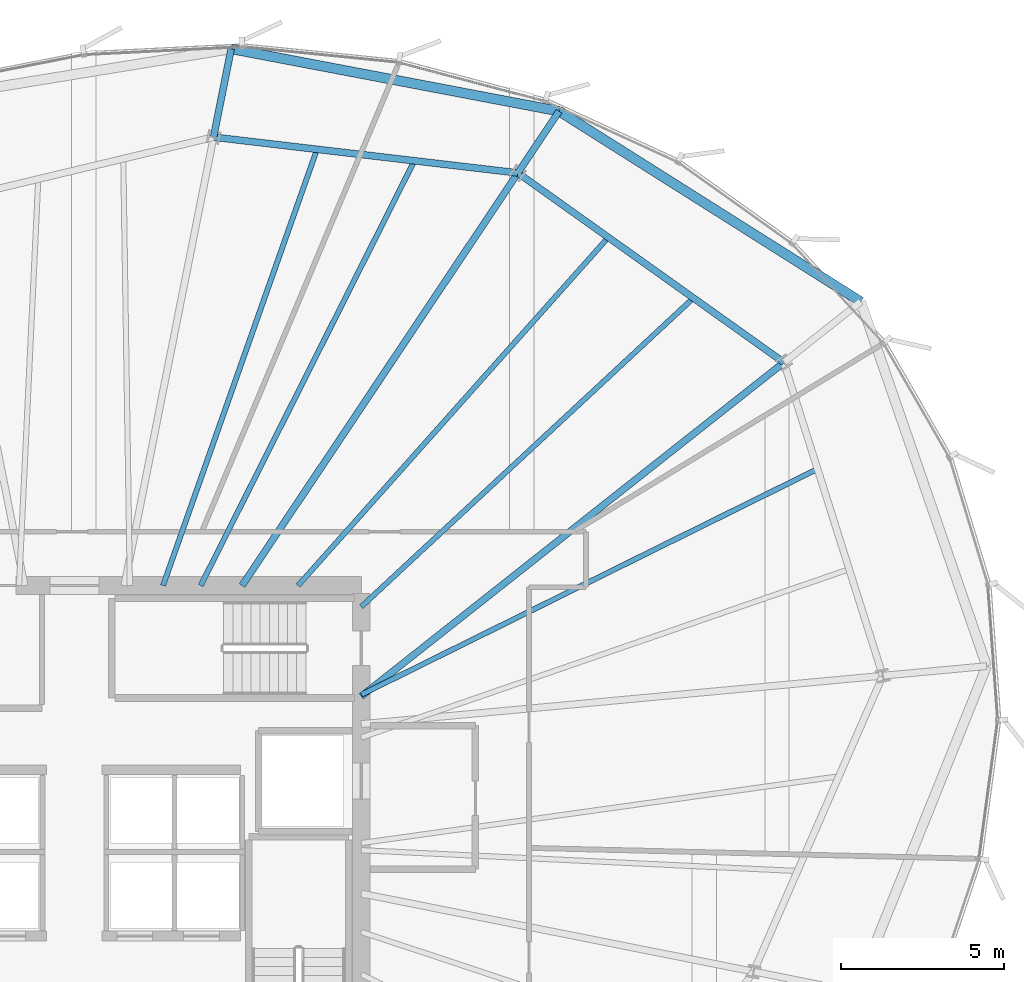
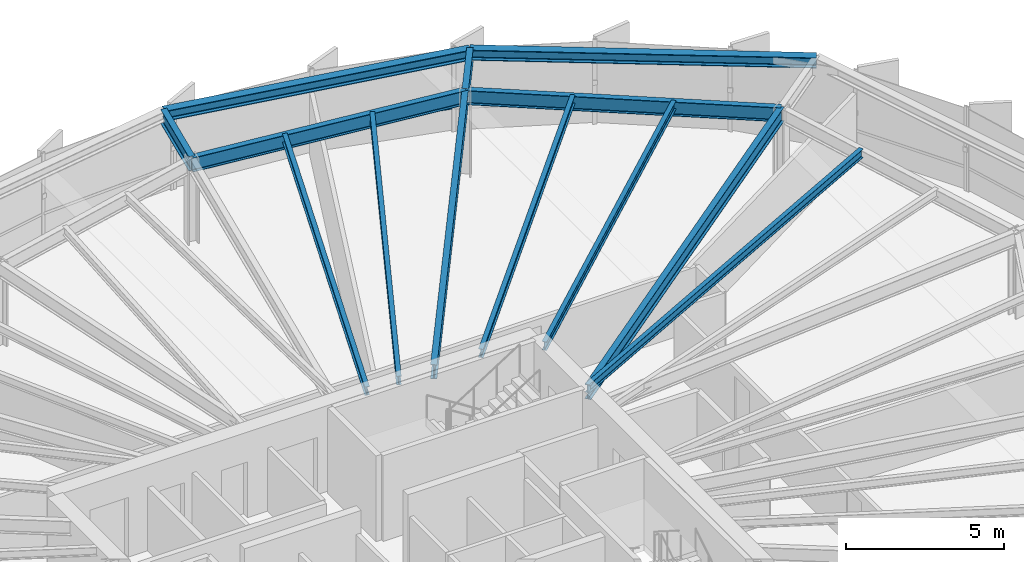
# One storey, part 22 of 34: 13 beams, 1 member, 1 element without a shape of its own.
"""IFC4 building model written with IfcOpenShell, lengths in metres."""

from ifc_helpers import new_model, si_unit, direction, frame, origin, origin_2d, place, context, subcontext, project, spatial, hollow_rectangle, i_section, extrude, source, transform, mapped, material, layer, layer_set, material_profile, profile_set, type_object, element, aggregate, save


model = new_model("IFC4")

# Units and contexts
model_context = context("Model", 3, precision=1e-05, world=origin(), true_north=direction((0.0, 1.0)))
body_context = subcontext(model_context, "Body", "Model", "MODEL_VIEW")
ifc_project = project(units=[si_unit("LENGTHUNIT", "METRE"), si_unit("AREAUNIT", "SQUARE_METRE"), si_unit("VOLUMEUNIT", "CUBIC_METRE"), si_unit("PLANEANGLEUNIT", "RADIAN"), si_unit("MASSUNIT", "GRAM", prefix="KILO"), si_unit("THERMODYNAMICTEMPERATUREUNIT", "KELVIN")], contexts=[model_context])

# Site, building, storey
site_placement = place(None, origin())
site = spatial("IfcSite", under=ifc_project, at=site_placement, CompositionType="ELEMENT")
building_placement = place(site_placement, origin())
building = spatial("IfcBuilding", under=site, at=building_placement, Name="Kethvar Cultural Tower", CompositionType="ELEMENT")
storey_placement = place(building_placement, frame((0.0, 0.0, 128.800048828125)))
storey = spatial("IfcBuildingStorey", under=building, at=storey_placement, Name="L32", CompositionType="ELEMENT", Elevation=128.800048828125)

# Beams
ifc_material_1 = material(Name="Steel S355J2", Category="steel")
ifc_material_profile_1 = material_profile(ifc_material_1, i_section(OverallWidth=0.2099609375, OverallDepth=0.550048828125, WebThickness=0.010986328125, FlangeThickness=0.01708984375, FilletRadius=0.02392578125, at=origin_2d()), Name="Steel S355J2 — IPE550")
ifc_profile_set_1 = profile_set([ifc_material_profile_1], Name="Steel S355J2 — IPE550")
beam_type_1 = type_object("IfcBeamType", Name="BM-IPE550", PredefinedType="BEAM", material=ifc_profile_set_1)
shared_shape_1 = source(origin(), body_context, "Body", "SweptSolid", [
    extrude(i_section(OverallWidth=0.2099609375, OverallDepth=0.550048828125, WebThickness=0.010986328125, FlangeThickness=0.01708984375, FilletRadius=0.02392578125, at=origin_2d()), origin(), (0.0, 0.0, 1.0), 16.527099609375),
])
beam_1_placement = place(storey_placement, frame((55.60009765625, 32.10009765625, 3.02294921875), z_axis=(0.784681939021, 0.619898584105, 0.0), x_axis=(-0.619898584105, 0.784681939021, 0.0)))
element("IfcBeam", 1, at=beam_1_placement, inside=storey, type_object=beam_type_1, Name="L32 Primary Radial Beam RB-02", PredefinedType="BEAM", context=body_context, shape_type="MappedRepresentation", body=[
    mapped(shared_shape_1, transform((0.0, 0.0, 0.0), scale=1.0)),
])
shared_shape_2 = source(origin(), body_context, "Body", "SweptSolid", [
    extrude(i_section(OverallWidth=0.2099609375, OverallDepth=0.550048828125, WebThickness=0.010986328125, FlangeThickness=0.01708984375, FilletRadius=0.02392578125, at=origin_2d()), origin(), (0.0, 0.0, 1.0), 15.22705078125),
])
beam_2_placement = place(storey_placement, frame((51.945068359375, 35.5, 3.02294921875), z_axis=(0.555569390778, 0.83147017507, 0.0), x_axis=(-0.83147017507, 0.555569390778, 0.0)))
element("IfcBeam", 2, at=beam_2_placement, inside=storey, type_object=beam_type_1, Name="L32 Primary Radial Beam RB-03", PredefinedType="BEAM", context=body_context, shape_type="MappedRepresentation", body=[
    mapped(shared_shape_2, transform((0.0, 0.0, 0.0), scale=1.0)),
])
ifc_material_profile_2 = material_profile(ifc_material_1, i_section(OverallWidth=0.159912109375, OverallDepth=0.330078125, WebThickness=0.007568359375, FlangeThickness=0.011474609375, FilletRadius=0.01806640625, at=origin_2d()), Name="Steel S355J2 — IPE330")
ifc_profile_set_2 = profile_set([ifc_material_profile_2], Name="Steel S355J2 — IPE330")
beam_type_2 = type_object("IfcBeamType", Name="BM-J330", PredefinedType="JOIST", material=ifc_profile_set_2)
shared_shape_3 = source(origin(), body_context, "Body", "SweptSolid", [
    extrude(i_section(OverallWidth=0.159912109375, OverallDepth=0.330078125, WebThickness=0.007568359375, FlangeThickness=0.011474609375, FilletRadius=0.01806640625, at=origin_2d()), origin(), (0.0, 0.0, 1.0), 15.618896484375),
])
beam_3_placement = place(storey_placement, frame((55.60009765625, 32.152587890625, 3.133056640625), z_axis=(0.896344638992, 0.443357968408, 0.0), x_axis=(-0.443357968408, 0.896344638992, 0.0)))
element("IfcBeam", 3, at=beam_3_placement, inside=storey, type_object=beam_type_2, Name="L32 Composite Floor Joist J-01B", PredefinedType="JOIST", context=body_context, shape_type="MappedRepresentation", body=[
    mapped(shared_shape_3, transform((0.0, 0.0, 0.0), scale=1.0)),
])
shared_shape_4 = source(origin(), body_context, "Body", "SweptSolid", [
    extrude(i_section(OverallWidth=0.2099609375, OverallDepth=0.550048828125, WebThickness=0.010986328125, FlangeThickness=0.01708984375, FilletRadius=0.02392578125, at=origin_2d()), origin(), (0.0, 0.0, 1.0), 10.0234375),
])
beam_4_placement = place(storey_placement, frame((68.568603515625, 42.34521484375, 3.02294921875), z_axis=(-0.814470106239, 0.580205520521, 0.0), x_axis=(-0.580205520521, -0.814470106239, 0.0)))
element("IfcBeam", 4, at=beam_4_placement, inside=storey, type_object=beam_type_1, Name="L32 Column Ring Tie Beam CR-02", PredefinedType="BEAM", context=body_context, shape_type="MappedRepresentation", body=[
    mapped(shared_shape_4, transform((0.0, 0.0, 0.0), scale=1.0)),
])
shared_shape_5 = source(origin(), body_context, "Body", "SweptSolid", [
    extrude(i_section(OverallWidth=0.159912109375, OverallDepth=0.330078125, WebThickness=0.007568359375, FlangeThickness=0.011474609375, FilletRadius=0.01806640625, at=origin_2d()), origin(), (0.0, 0.0, 1.0), 13.91455078125),
])
beam_5_placement = place(storey_placement, frame((55.60009765625, 34.85009765625, 3.133056640625), z_axis=(0.732512843328, 0.680753211054, 0.0), x_axis=(-0.680753211054, 0.732512843328, 0.0)))
element("IfcBeam", 5, at=beam_5_placement, inside=storey, type_object=beam_type_2, Name="L32 Composite Floor Joist J-02A", PredefinedType="JOIST", context=body_context, shape_type="MappedRepresentation", body=[
    mapped(shared_shape_5, transform((0.0, 0.0, 0.0), scale=1.0)),
])
shared_shape_6 = source(origin(), body_context, "Body", "SweptSolid", [
    extrude(i_section(OverallWidth=0.159912109375, OverallDepth=0.330078125, WebThickness=0.007568359375, FlangeThickness=0.011474609375, FilletRadius=0.01806640625, at=origin_2d()), origin(), (0.0, 0.0, 1.0), 14.3095703125),
])
beam_6_placement = place(storey_placement, frame((53.660888671875, 35.5, 3.133056640625), z_axis=(0.665261381663, 0.746610537073, 0.0), x_axis=(-0.746610537073, 0.665261381663, 0.0)))
element("IfcBeam", 6, at=beam_6_placement, inside=storey, type_object=beam_type_2, Name="L32 Composite Floor Joist J-02B", PredefinedType="JOIST", context=body_context, shape_type="MappedRepresentation", body=[
    mapped(shared_shape_6, transform((0.0, 0.0, 0.0), scale=1.0)),
])
shared_shape_7 = source(origin(), body_context, "Body", "SweptSolid", [
    extrude(i_section(OverallWidth=0.2099609375, OverallDepth=0.550048828125, WebThickness=0.010986328125, FlangeThickness=0.01708984375, FilletRadius=0.02392578125, at=origin_2d()), origin(), (0.0, 0.0, 1.0), 9.400634765625),
])
beam_7_placement = place(storey_placement, frame((60.40478515625, 48.160888671875, 3.02294921875), z_axis=(-0.993150427046, 0.116842754407, 0.0), x_axis=(-0.116842754407, -0.993150427046, 0.0)))
element("IfcBeam", 7, at=beam_7_placement, inside=storey, type_object=beam_type_1, Name="L32 Column Ring Tie Beam CR-03", PredefinedType="BEAM", context=body_context, shape_type="MappedRepresentation", body=[
    mapped(shared_shape_7, transform((0.0, 0.0, 0.0), scale=1.0)),
])
shared_shape_8 = source(origin(), body_context, "Body", "SweptSolid", [
    extrude(i_section(OverallWidth=0.159912109375, OverallDepth=0.330078125, WebThickness=0.007568359375, FlangeThickness=0.011474609375, FilletRadius=0.01806640625, at=origin_2d()), origin(), (0.0, 0.0, 1.0), 14.590576171875),
])
beam_8_placement = place(storey_placement, frame((50.673583984375, 35.5, 3.133056640625), z_axis=(0.449394228778, 0.893333547529, 0.0), x_axis=(-0.893333547529, 0.449394228778, 0.0)))
element("IfcBeam", 8, at=beam_8_placement, inside=storey, type_object=beam_type_2, Name="L32 Composite Floor Joist J-03A", PredefinedType="JOIST", context=body_context, shape_type="MappedRepresentation", body=[
    mapped(shared_shape_8, transform((0.0, 0.0, 0.0), scale=1.0)),
])
shared_shape_9 = source(origin(), body_context, "Body", "SweptSolid", [
    extrude(i_section(OverallWidth=0.159912109375, OverallDepth=0.330078125, WebThickness=0.007568359375, FlangeThickness=0.011474609375, FilletRadius=0.01806640625, at=origin_2d()), origin(), (0.0, 0.0, 1.0), 14.1953125),
])
beam_9_placement = place(storey_placement, frame((49.517822265625, 35.5, 3.133056640625), z_axis=(0.332865098769, 0.942974456717, 0.0), x_axis=(-0.942974456717, 0.332865098769, 0.0)))
element("IfcBeam", 9, at=beam_9_placement, inside=storey, type_object=beam_type_2, Name="L32 Composite Floor Joist J-03B", PredefinedType="JOIST", context=body_context, shape_type="MappedRepresentation", body=[
    mapped(shared_shape_9, transform((0.0, 0.0, 0.0), scale=1.0)),
])
shared_shape_10 = source(origin(), body_context, "Body", "SweptSolid", [
    extrude(i_section(OverallWidth=0.2099609375, OverallDepth=0.550048828125, WebThickness=0.010986328125, FlangeThickness=0.01708984375, FilletRadius=0.02392578125, at=origin_2d()), origin(), (0.0, 0.0, 1.0), 2.278076171875),
])
beam_10_placement = place(storey_placement, frame((60.40478515625, 48.160888671875, 3.02294921875), z_axis=(0.55559024762, 0.831456238626, 0.0), x_axis=(-0.831456238626, 0.55559024762, 0.0)))
element("IfcBeam", 10, at=beam_10_placement, inside=storey, type_object=beam_type_1, Name="L32 Perimeter Cantilever Beam RC-03", PredefinedType="BEAM", context=body_context, shape_type="MappedRepresentation", body=[
    mapped(shared_shape_10, transform((0.0, 0.0, 0.0), scale=1.0)),
])
shared_shape_11 = source(origin(), body_context, "Body", "SweptSolid", [
    extrude(i_section(OverallWidth=0.2099609375, OverallDepth=0.550048828125, WebThickness=0.010986328125, FlangeThickness=0.01708984375, FilletRadius=0.02392578125, at=origin_2d()), origin(), (0.0, 0.0, 1.0), 2.76220703125),
])
beam_11_placement = place(storey_placement, frame((51.068603515625, 49.25927734375, 3.02294921875), z_axis=(0.195062219511, 0.98079086992, 0.0), x_axis=(-0.98079086992, 0.195062219511, 0.0)))
element("IfcBeam", 11, at=beam_11_placement, inside=storey, type_object=beam_type_1, Name="L32 Perimeter Cantilever Beam RC-04", PredefinedType="BEAM", context=body_context, shape_type="MappedRepresentation", body=[
    mapped(shared_shape_11, transform((0.0, 0.0, 0.0), scale=1.0)),
])
ifc_material_profile_3 = material_profile(ifc_material_1, i_section(OverallWidth=0.300048828125, OverallDepth=0.39990234375, WebThickness=0.013427734375, FlangeThickness=0.02392578125, FilletRadius=0.027099609375, at=origin_2d()), Name="Steel S355J2 — HEB400")
ifc_profile_set_3 = profile_set([ifc_material_profile_3], Name="Steel S355J2 — HEB400")
beam_type_3 = type_object("IfcBeamType", Name="BM-SP400", PredefinedType="SPANDREL", material=ifc_profile_set_3)
shared_shape_12 = source(origin(), body_context, "Body", "SweptSolid", [
    extrude(i_section(OverallWidth=0.300048828125, OverallDepth=0.39990234375, WebThickness=0.013427734375, FlangeThickness=0.02392578125, FilletRadius=0.027099609375, at=origin_2d()), origin(), (0.0, 0.0, 1.0), 10.94873046875),
])
beam_12_placement = place(storey_placement, frame((70.92822265625, 44.20947265625, 3.097900390625), z_axis=(-0.845554069782, 0.533889796751, 0.0), x_axis=(-0.533889796751, -0.845554069782, 0.0)))
element("IfcBeam", 12, at=beam_12_placement, inside=storey, type_object=beam_type_3, Name="L32 Perimeter Spandrel Beam SP-02", PredefinedType="SPANDREL", context=body_context, shape_type="MappedRepresentation", body=[
    mapped(shared_shape_12, transform((0.0, 0.0, 0.0), scale=1.0)),
])
shared_shape_13 = source(origin(), body_context, "Body", "SweptSolid", [
    extrude(i_section(OverallWidth=0.300048828125, OverallDepth=0.39990234375, WebThickness=0.013427734375, FlangeThickness=0.02392578125, FilletRadius=0.027099609375, at=origin_2d()), origin(), (0.0, 0.0, 1.0), 10.243408203125),
])
beam_13_placement = place(storey_placement, frame((61.67041015625, 50.054931640625, 3.097900390625), z_axis=(-0.982395680805, 0.18681200801, 0.0), x_axis=(-0.18681200801, -0.982395680805, 0.0)))
element("IfcBeam", 13, at=beam_13_placement, inside=storey, type_object=beam_type_3, Name="L32 Perimeter Spandrel Beam SP-03", PredefinedType="SPANDREL", context=body_context, shape_type="MappedRepresentation", body=[
    mapped(shared_shape_13, transform((0.0, 0.0, 0.0), scale=1.0)),
])

# Curtain wall, member
ifc_material_2 = material(Name="Aluminium 6063-T6", Category="aluminium")
ifc_layer = layer(ifc_material_2, 0.179931640625, Name="Aluminium 6063-T6", Category="aluminium")
ifc_layer_set = layer_set([ifc_layer], Name="Aluminium 6063-T6 (180 mm)")
curtain_wall_type = type_object("IfcCurtainWallType", Name="CW-SYS-04-Z34", PredefinedType="NOTDEFINED", material=ifc_layer_set)
curtain_wall_placement = place(storey_placement, origin())
curtain_wall = element("IfcCurtainWall", 14, at=curtain_wall_placement, inside=storey, type_object=curtain_wall_type, Name="L32 Curtain Wall Run 01", PredefinedType="NOTDEFINED")
ifc_material_profile_4 = material_profile(ifc_material_2, hollow_rectangle(XDim=0.050048828125, YDim=0.10009765625, WallThickness=0.00390625, at=origin_2d()), Name="Aluminium 6063-T6 — RHS100x50x4")
ifc_profile_set_4 = profile_set([ifc_material_profile_4], Name="Aluminium 6063-T6 — RHS100x50x4")
member_type = type_object("IfcMemberType", Name="CW-SYS-04-Z34-TRN", PredefinedType="USERDEFINED", material=ifc_profile_set_4)
shared_shape_14 = source(origin(), body_context, "Body", "SweptSolid", [
    extrude(hollow_rectangle(XDim=0.050048828125, YDim=0.10009765625, WallThickness=0.00390625, at=origin_2d()), origin(), (0.0, 0.0, 1.0), 4.57958984375),
])
member_placement = place(storey_placement, frame((61.210205078125, 50.3701171875, 0.949951171875), z_axis=(-0.966803289509, 0.255521817845, 0.0), x_axis=(-0.255521817845, -0.966803289509, 0.0)))
member = element("IfcMember", 15, at=member_placement, type_object=member_type, Name="CW-L32-R01 Transom 5", ObjectType="TRANSOM", PredefinedType="USERDEFINED", context=body_context, shape_type="MappedRepresentation", body=[
    mapped(shared_shape_14, transform((0.0, 0.0, 0.0), scale=1.0)),
])
aggregate(curtain_wall, [member])

save(model, "model.ifc")
